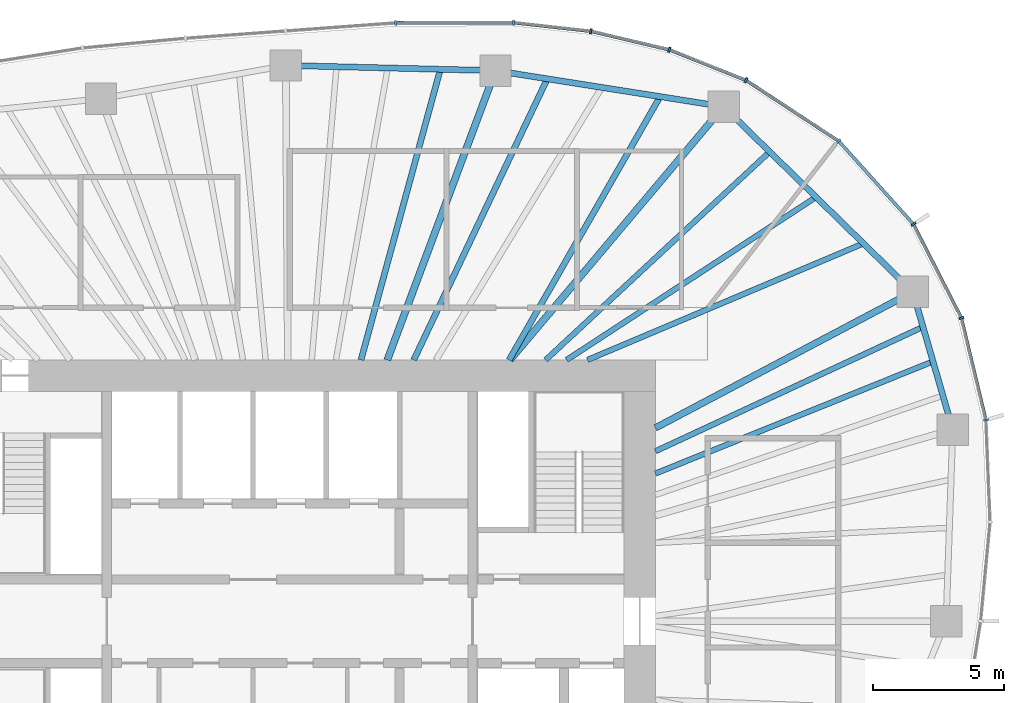
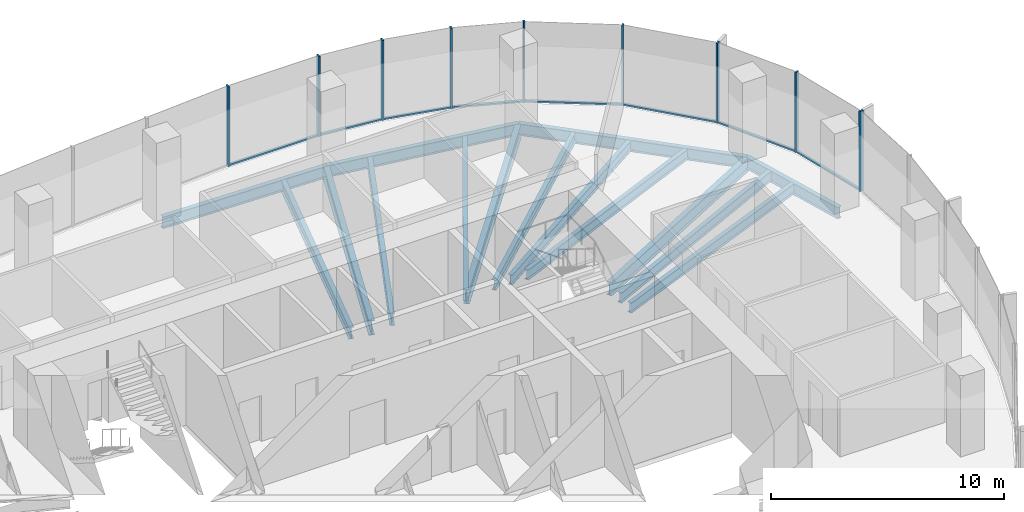
# One storey, part 6 of 12: 17 members, 15 beams, 4 elements without a shape of their own.
"""IFC4 building model written with IfcOpenShell, lengths in metres."""

import ifcopenshell
import ifcopenshell.guid

model = None  # the IFC model being written
_history = None  # IfcOwnerHistory: only IFC2X3 demands one
_inside = {}  # id of a spatial element -> (the spatial element, [elements in it])
_under = {}  # id of a project, library or spatial element -> (it, [spatial elements below it])
_declared = {}  # id of a project -> (the project, [libraries it declares])
_typed = {}  # id of a type object -> (the type object, [elements of that type])
_made_of = {}  # id of a material, layer set ... -> (it, [elements and type objects made of it])


def new_model(schema):
    """Start an empty IFC model of exactly this schema.

    Asked for "IFC4X3", IfcOpenShell would pick the latest addendum, in which some entities
    have other attributes; the version numbers below select the first issue.
    IFC2X3 requires an IfcOwnerHistory on every rooted entity: one is made here for all.
    """
    global model, _history
    if schema == "IFC4X3":
        model = ifcopenshell.file(schema_version=(4, 3, 0, 0))
    else:
        model = ifcopenshell.file(schema=schema)
    _inside.clear()
    _under.clear()
    _declared.clear()
    _typed.clear()
    _made_of.clear()
    _history = None
    if model.schema == "IFC2X3":
        org = make("IfcOrganization", Name="unknown")
        user = make(
            "IfcPersonAndOrganization",
            ThePerson=make("IfcPerson", FamilyName="unknown"),
            TheOrganization=org,
        )
        app = make(
            "IfcApplication",
            ApplicationDeveloper=org,
            Version="unknown",
            ApplicationFullName="unknown",
            ApplicationIdentifier="unknown",
        )
        _history = make(
            "IfcOwnerHistory",
            OwningUser=user,
            OwningApplication=app,
            ChangeAction="ADDED",
            CreationDate=0,
        )
    return model


def make(cls, **values):
    """One entity of the class cls with the attributes given. An attribute that is None is left unset."""
    return model.create_entity(
        cls, **{name: value for name, value in values.items() if value is not None}
    )


def rooted(cls, **values):
    """An entity with a GlobalId (a new one), such as an element, a storey or a relation."""
    return make(cls, GlobalId=ifcopenshell.guid.new(), OwnerHistory=_history, **values)


def si_unit(unit_type, name, prefix=None):
    """IfcSIUnit, for example si_unit("LENGTHUNIT", "METRE", prefix="MILLI")."""
    return make("IfcSIUnit", UnitType=unit_type, Prefix=prefix, Name=name)


def assignment(units):
    """IfcUnitAssignment: the units of a project."""
    return None if units is None else make("IfcUnitAssignment", Units=units)


def point(xyz):
    """IfcCartesianPoint."""
    return None if xyz is None else make("IfcCartesianPoint", Coordinates=xyz)


def direction(xyz):
    """IfcDirection."""
    return None if xyz is None else make("IfcDirection", DirectionRatios=xyz)


def frame(location, z_axis=None, x_axis=None):
    """IfcAxis2Placement3D, a coordinate frame: its origin and axes. An axis left out is left unset."""
    return make(
        "IfcAxis2Placement3D",
        Location=point(location),
        Axis=direction(z_axis),
        RefDirection=direction(x_axis),
    )


def frame_2d(location, x_axis=None):
    """IfcAxis2Placement2D, a coordinate frame in the plane: its origin and x axis."""
    return make(
        "IfcAxis2Placement2D", Location=point(location), RefDirection=direction(x_axis)
    )


def origin():
    """The frame at (0, 0, 0) with its axes left unset."""
    return frame((0.0, 0.0, 0.0))


def origin_2d():
    """The frame at (0, 0) in the plane with its x axis left unset."""
    return frame_2d((0.0, 0.0))


def place(relative_to, where):
    """IfcLocalPlacement: puts the frame where relative to a parent placement (None: the world)."""
    return make(
        "IfcLocalPlacement", PlacementRelTo=relative_to, RelativePlacement=where
    )


def context(
    kind, dimensions, precision=None, world=None, true_north=None, identifier=None
):
    """IfcGeometricRepresentationContext, for example the 3D "Model" context."""
    return make(
        "IfcGeometricRepresentationContext",
        ContextIdentifier=identifier,
        ContextType=kind,
        CoordinateSpaceDimension=dimensions,
        Precision=precision,
        WorldCoordinateSystem=world,
        TrueNorth=true_north,
    )


def subcontext(parent, identifier, kind, view, scale=None):
    """IfcGeometricRepresentationSubContext, for example "Body" below "Model"."""
    return make(
        "IfcGeometricRepresentationSubContext",
        ContextIdentifier=identifier,
        ContextType=kind,
        ParentContext=parent,
        TargetScale=scale,
        TargetView=view,
    )


def project(units=None, contexts=None):
    """IfcProject with its units and contexts."""
    return rooted(
        "IfcProject",
        Name="project",
        RepresentationContexts=contexts,
        UnitsInContext=assignment(units),
    )


def spatial(cls, under=None, at=None, **own):
    """A site, building, storey or space (cls), placed at a placement, below another one or the project."""
    s = rooted(cls, ObjectPlacement=at, **own)
    if under is not None:
        _under.setdefault(under.id(), (under, []))[1].append(s)
    return s


def profile(cls, at=None, kind="AREA", **sizes):
    """A parametric profile (cls). Its sizes go by their IFC names, for example OverallWidth=200.0."""
    return make(cls, ProfileType=kind, Position=at, **sizes)


def rectangle(**sizes):
    """IfcRectangleProfileDef."""
    return profile("IfcRectangleProfileDef", **sizes)


def i_section(**sizes):
    """IfcIShapeProfileDef."""
    return profile("IfcIShapeProfileDef", **sizes)


def extrude(swept, where, along, depth):
    """IfcExtrudedAreaSolid: the profile swept, set in the frame where, extruded along a direction by depth."""
    return make(
        "IfcExtrudedAreaSolid",
        SweptArea=swept,
        Position=where,
        ExtrudedDirection=direction(along),
        Depth=depth,
    )


def shape(context_of_items, identifier, shape_type, items):
    """IfcShapeRepresentation: the items that make up one representation, for example the "Body"."""
    return make(
        "IfcShapeRepresentation",
        ContextOfItems=context_of_items,
        RepresentationIdentifier=identifier,
        RepresentationType=shape_type,
        Items=items,
    )


def material(Name=None, Category=None):
    """IfcMaterial."""
    return make("IfcMaterial", Name=Name, Category=Category)


def material_profile(
    of_material, cross_section, Name=None, Category=None, Priority=None
):
    """IfcMaterialProfile: a cross section and its material."""
    return make(
        "IfcMaterialProfile",
        Name=Name,
        Material=of_material,
        Profile=cross_section,
        Priority=Priority,
        Category=Category,
    )


def profile_set(profiles, Name=None, composite=None):
    """IfcMaterialProfileSet."""
    return make(
        "IfcMaterialProfileSet",
        Name=Name,
        MaterialProfiles=profiles,
        CompositeProfile=composite,
    )


def made_of(thing, what):
    """Note that an element or type object is made of a material, layer set ...; save() writes the relation."""
    if what is not None:
        _made_of.setdefault(what.id(), (what, []))[1].append(thing)
    return thing


def type_object(cls, material=None, **own):
    """A type object (cls), such as IfcWallType, which elements share."""
    return made_of(rooted(cls, **own), material)


def element(
    cls,
    number,
    at=None,
    inside=None,
    cuts=None,
    type_object=None,
    material=None,
    context=None,
    identifier="Body",
    shape_type=None,
    held_by="IfcProductDefinitionShape",
    body=None,
    shapes=None,
    **own,
):
    """One element of the class cls, such as IfcWall. Its Tag is "e" and its number.

    at: its placement. inside: the storey or other place that contains it. cuts: it is an
    opening in that element (IfcRelVoidsElement). A single representation is given by context,
    identifier, shape_type and body (its items); several are given by shapes. held_by: the class
    of the entity that holds the representations. save() writes the other relations.
    """
    e = rooted(cls, Tag="e%d" % number, ObjectPlacement=at, **own)
    if body is not None:
        shapes = [shape(context, identifier, shape_type, body)]
    if shapes is not None:
        e.Representation = make(held_by, Representations=shapes)
    if inside is not None:
        _inside.setdefault(inside.id(), (inside, []))[1].append(e)
    if cuts is not None:
        rooted(
            "IfcRelVoidsElement", RelatingBuildingElement=cuts, RelatedOpeningElement=e
        )
    if type_object is not None:
        _typed.setdefault(type_object.id(), (type_object, []))[1].append(e)
    return made_of(e, material)


def aggregate(whole, parts):
    """IfcRelAggregates: a whole, such as a stair, and the parts it consists of."""
    return rooted("IfcRelAggregates", RelatingObject=whole, RelatedObjects=parts)


def save(model, path):
    """Write the relations noted so far, then the file.

    IfcRelAggregates (storeys below a building ...), IfcRelContainedInSpatialStructure (elements
    in a storey), IfcRelDefinesByType, IfcRelAssociatesMaterial and IfcRelDeclares: one each for
    every whole, place, type object, material and project.
    """
    for whole, parts in _under.values():
        aggregate(whole, parts)
    for where, things in _inside.values():
        rooted(
            "IfcRelContainedInSpatialStructure",
            RelatedElements=things,
            RelatingStructure=where,
        )
    for kind, things in _typed.values():
        rooted("IfcRelDefinesByType", RelatedObjects=things, RelatingType=kind)
    for what, things in _made_of.values():
        rooted("IfcRelAssociatesMaterial", RelatedObjects=things, RelatingMaterial=what)
    for by, libraries in _declared.values():
        rooted("IfcRelDeclares", RelatingContext=by, RelatedDefinitions=libraries)
    model.write(path)


model = new_model("IFC4")

# Units and contexts
model_context = context("Model", 3, precision=1e-05, world=origin(), true_north=direction((0.0, 1.0)))
body_context = subcontext(model_context, "Body", "Model", "MODEL_VIEW")
ifc_project = project(units=[si_unit("LENGTHUNIT", "METRE"), si_unit("AREAUNIT", "SQUARE_METRE"), si_unit("VOLUMEUNIT", "CUBIC_METRE"), si_unit("PLANEANGLEUNIT", "RADIAN"), si_unit("MASSUNIT", "GRAM", prefix="KILO")], contexts=[model_context])

# Site, building, storey
site_placement = place(None, origin())
site = spatial("IfcSite", under=ifc_project, at=site_placement, CompositionType="ELEMENT")
building_placement = place(site_placement, origin())
building = spatial("IfcBuilding", under=site, at=building_placement, Name="Ghaith Harvest Tower", CompositionType="ELEMENT")
storey_placement = place(building_placement, frame((0.0, 0.0, 232.60009765625)))
storey = spatial("IfcBuildingStorey", under=building, at=storey_placement, Name="L51", CompositionType="ELEMENT", Elevation=232.60009765625)

# Curtain wall, members
ifc_material_1 = material(Name="Black anodised aluminium and fritted glass", Category="aluminium")
curtain_wall_type = type_object("IfcCurtainWallType", Name="CW-H CURTAIN WALL", PredefinedType="NOTDEFINED", material=ifc_material_1)
curtain_wall_1_placement = place(storey_placement, origin())
curtain_wall_1 = element("IfcCurtainWall", 1, at=curtain_wall_1_placement, inside=storey, type_object=curtain_wall_type, Name="Curtain wall CW-H bay 02 L51", PredefinedType="NOTDEFINED")
ifc_material_2 = material(Name="Aluminium, black anodised", Category="aluminium")
ifc_material_profile_1 = material_profile(ifc_material_2, rectangle(XDim=0.080078125, YDim=0.199951171875, at=origin_2d()), Name="CW-H MULLION 80x200")
ifc_profile_set_1 = profile_set([ifc_material_profile_1], Name="Aluminium, black anodised")
member_type_1 = type_object("IfcMemberType", Name="CW-H MULLION 80x200", PredefinedType="MULLION", material=ifc_profile_set_1)
member_1_placement = place(storey_placement, frame((26.646484375, 7.701416015625, 0.0), z_axis=(0.0, 0.0, 1.0), x_axis=(-0.139146256981, 0.990271841046, 0.0)))
member_1 = element("IfcMember", 2, at=member_1_placement, type_object=member_type_1, Name="CW-H mullion 1 bay 02 L51", PredefinedType="MULLION", context=body_context, shape_type="SweptSolid", body=[
    extrude(rectangle(XDim=0.080078125, YDim=0.199951171875, at=origin_2d()), origin(), (0.0, 0.0, 1.0), 4.199951171875),
])
member_2_placement = place(storey_placement, frame((25.707275390625, 11.60546875, 0.0), z_axis=(0.0, 0.0, 1.0), x_axis=(-0.347012123561, 0.93786064322, 0.0)))
member_2 = element("IfcMember", 3, at=member_2_placement, type_object=member_type_1, Name="CW-H mullion 2 bay 02 L51", PredefinedType="MULLION", context=body_context, shape_type="SweptSolid", body=[
    extrude(rectangle(XDim=0.080078125, YDim=0.199951171875, at=origin_2d()), origin(), (0.0, 0.0, 1.0), 4.199951171875),
])

curtain_wall_2_placement = place(storey_placement, origin())
curtain_wall_2 = element("IfcCurtainWall", 4, at=curtain_wall_2_placement, inside=storey, type_object=curtain_wall_type, Name="Curtain wall CW-H bay 03 L51", PredefinedType="NOTDEFINED")
member_3_placement = place(storey_placement, frame((23.874267578125, 15.19384765625, 0.0), z_axis=(0.0, 0.0, 1.0), x_axis=(-0.569847382909, 0.821750546207, 0.0)))
member_3 = element("IfcMember", 5, at=member_3_placement, type_object=member_type_1, Name="CW-H mullion 1 bay 03 L51", PredefinedType="MULLION", context=body_context, shape_type="SweptSolid", body=[
    extrude(rectangle(XDim=0.080078125, YDim=0.199951171875, at=origin_2d()), origin(), (0.0, 0.0, 1.0), 4.199951171875),
])
member_4_placement = place(storey_placement, frame((21.013427734375, 18.374267578125, 0.0), z_axis=(0.0, 0.0, 1.0), x_axis=(-0.758541332755, 0.651624927778, 0.0)))
member_4 = element("IfcMember", 6, at=member_4_placement, type_object=member_type_1, Name="CW-H mullion 2 bay 03 L51", PredefinedType="MULLION", context=body_context, shape_type="SweptSolid", body=[
    extrude(rectangle(XDim=0.080078125, YDim=0.199951171875, at=origin_2d()), origin(), (0.0, 0.0, 1.0), 4.199951171875),
])

curtain_wall_3_placement = place(storey_placement, origin())
curtain_wall_3 = element("IfcCurtainWall", 7, at=curtain_wall_3_placement, inside=storey, type_object=curtain_wall_type, Name="Curtain wall CW-H bay 04 L51", PredefinedType="NOTDEFINED")
member_5_placement = place(storey_placement, frame((17.45947265625, 20.704345703125, 0.0), z_axis=(0.0, 0.0, 1.0), x_axis=(-0.880203412003, 0.474596621878, 0.0)))
member_5 = element("IfcMember", 8, at=member_5_placement, type_object=member_type_1, Name="CW-H mullion 1 bay 04 L51", PredefinedType="MULLION", context=body_context, shape_type="SweptSolid", body=[
    extrude(rectangle(XDim=0.080078125, YDim=0.199951171875, at=origin_2d()), origin(), (0.0, 0.0, 1.0), 4.199951171875),
])
member_6_placement = place(storey_placement, frame((14.52734375, 21.871337890625, 0.0), z_axis=(0.0, 0.0, 1.0), x_axis=(-0.953502908871, 0.30138381306, 0.0)))
member_6 = element("IfcMember", 9, at=member_6_placement, type_object=member_type_1, Name="CW-H mullion 2 bay 04 L51", PredefinedType="MULLION", context=body_context, shape_type="SweptSolid", body=[
    extrude(rectangle(XDim=0.080078125, YDim=0.199951171875, at=origin_2d()), origin(), (0.0, 0.0, 1.0), 4.199951171875),
])
member_7_placement = place(storey_placement, frame((11.527099609375, 22.579345703125, 0.0), z_axis=(0.0, 0.0, 1.0), x_axis=(-0.985193373388, 0.171446834417, 0.0)))
member_7 = element("IfcMember", 10, at=member_7_placement, type_object=member_type_1, Name="CW-H mullion 3 bay 04 L51", PredefinedType="MULLION", context=body_context, shape_type="SweptSolid", body=[
    extrude(rectangle(XDim=0.080078125, YDim=0.199951171875, at=origin_2d()), origin(), (0.0, 0.0, 1.0), 4.199951171875),
])

curtain_wall_4_placement = place(storey_placement, origin())
curtain_wall_4 = element("IfcCurtainWall", 11, at=curtain_wall_4_placement, inside=storey, type_object=curtain_wall_type, Name="Curtain wall CW-H bay 05 L51", PredefinedType="NOTDEFINED")
member_8_placement = place(storey_placement, frame((8.564208984375, 22.9091796875, 0.0), z_axis=(0.0, 0.0, 1.0), x_axis=(-0.999083519493, 0.042803283493, 0.0)))
member_8 = element("IfcMember", 12, at=member_8_placement, type_object=member_type_1, Name="CW-H mullion 1 bay 05 L51", PredefinedType="MULLION", context=body_context, shape_type="SweptSolid", body=[
    extrude(rectangle(XDim=0.080078125, YDim=0.199951171875, at=origin_2d()), origin(), (0.0, 0.0, 1.0), 4.199951171875),
])
member_9_placement = place(storey_placement, frame((4.0595703125, 22.8994140625, 0.0), z_axis=(0.0, 0.0, 1.0), x_axis=(-0.999332779724, -0.036523901335, 0.0)))
member_9 = element("IfcMember", 13, at=member_9_placement, type_object=member_type_1, Name="CW-H mullion 2 bay 05 L51", PredefinedType="MULLION", context=body_context, shape_type="SweptSolid", body=[
    extrude(rectangle(XDim=0.080078125, YDim=0.199951171875, at=origin_2d()), origin(), (0.0, 0.0, 1.0), 4.199951171875),
])

# Member
ifc_material_3 = material(Name="Aluminium, black anodised", Category="aluminium")
ifc_material_profile_2 = material_profile(ifc_material_3, rectangle(XDim=0.1298828125, YDim=0.080078125, at=origin_2d()), Name="CW-H TRANSOM 130x80")
ifc_profile_set_2 = profile_set([ifc_material_profile_2], Name="Aluminium, black anodised")
member_type_2 = type_object("IfcMemberType", Name="CW-H TRANSOM 130x80", PredefinedType="USERDEFINED", material=ifc_profile_set_2)
member_10_placement = place(storey_placement, frame((26.636962890625, 7.740234375, 0.039794921875), z_axis=(-0.233870324689, 0.972267798104, 0.0), x_axis=(-0.972267798104, -0.233870324689, 0.0)))
member_10 = element("IfcMember", 14, at=member_10_placement, type_object=member_type_2, Name="CW-H transom 1 bay 02 L51", ObjectType="TRANSOM", PredefinedType="USERDEFINED", context=body_context, shape_type="SweptSolid", body=[
    extrude(rectangle(XDim=0.1298828125, YDim=0.080078125, at=origin_2d()), origin(), (0.0, 0.0, 1.0), 3.935546875),
])

member_11_placement = place(storey_placement, frame((25.68896484375, 11.64111328125, 0.039794921875), z_axis=(-0.454911728312, 0.890536534592, 0.0), x_axis=(-0.890536534592, -0.454911728312, 0.0)))
member_11 = element("IfcMember", 15, at=member_11_placement, type_object=member_type_2, Name="CW-H transom 2 bay 02 L51", ObjectType="TRANSOM", PredefinedType="USERDEFINED", context=body_context, shape_type="SweptSolid", body=[
    extrude(rectangle(XDim=0.1298828125, YDim=0.080078125, at=origin_2d()), origin(), (0.0, 0.0, 1.0), 3.949462890625),
])

aggregate(curtain_wall_1, [member_1, member_10, member_2, member_11])

member_12_placement = place(storey_placement, frame((23.847412109375, 15.223388671875, 0.039794921875), z_axis=(-0.668752638518, 0.743484975286, 0.0), x_axis=(-0.743484975286, -0.668752638518, 0.0)))
member_12 = element("IfcMember", 16, at=member_12_placement, type_object=member_type_2, Name="CW-H transom 1 bay 03 L51", ObjectType="TRANSOM", PredefinedType="USERDEFINED", context=body_context, shape_type="SweptSolid", body=[
    extrude(rectangle(XDim=0.1298828125, YDim=0.080078125, at=origin_2d()), origin(), (0.0, 0.0, 1.0), 4.197998046875),
])

member_13_placement = place(storey_placement, frame((20.97998046875, 18.39599609375, 0.039794921875), z_axis=(-0.836268574396, 0.548320044753, 0.0), x_axis=(-0.548320044753, -0.836268574396, 0.0)))
member_13 = element("IfcMember", 17, at=member_13_placement, type_object=member_type_2, Name="CW-H transom 2 bay 03 L51", ObjectType="TRANSOM", PredefinedType="USERDEFINED", context=body_context, shape_type="SweptSolid", body=[
    extrude(rectangle(XDim=0.1298828125, YDim=0.080078125, at=origin_2d()), origin(), (0.0, 0.0, 1.0), 4.169677734375),
])

aggregate(curtain_wall_2, [member_3, member_12, member_4, member_13])

member_14_placement = place(storey_placement, frame((17.42236328125, 20.71923828125, 0.039794921875), z_axis=(-0.929115751434, 0.369789021521, 0.0), x_axis=(-0.369789021521, -0.929115751434, 0.0)))
member_14 = element("IfcMember", 18, at=member_14_placement, type_object=member_type_2, Name="CW-H transom 1 bay 04 L51", ObjectType="TRANSOM", PredefinedType="USERDEFINED", context=body_context, shape_type="SweptSolid", body=[
    extrude(rectangle(XDim=0.1298828125, YDim=0.080078125, at=origin_2d()), origin(), (0.0, 0.0, 1.0), 3.075927734375),
])

member_15_placement = place(storey_placement, frame((14.48828125, 21.880615234375, 0.039794921875), z_axis=(-0.97325803677, 0.229714592186, 0.0), x_axis=(-0.229714592186, -0.97325803677, 0.0)))
member_15 = element("IfcMember", 19, at=member_15_placement, type_object=member_type_2, Name="CW-H transom 2 bay 04 L51", ObjectType="TRANSOM", PredefinedType="USERDEFINED", context=body_context, shape_type="SweptSolid", body=[
    extrude(rectangle(XDim=0.1298828125, YDim=0.080078125, at=origin_2d()), origin(), (0.0, 0.0, 1.0), 3.00244140625),
])

member_16_placement = place(storey_placement, frame((11.4873046875, 22.583984375, 0.039794921875), z_axis=(-0.993867303252, 0.110579308762, 0.0), x_axis=(-0.110579308762, -0.993867303252, 0.0)))
member_16 = element("IfcMember", 20, at=member_16_placement, type_object=member_type_2, Name="CW-H transom 3 bay 04 L51", ObjectType="TRANSOM", PredefinedType="USERDEFINED", context=body_context, shape_type="SweptSolid", body=[
    extrude(rectangle(XDim=0.1298828125, YDim=0.080078125, at=origin_2d()), origin(), (0.0, 0.0, 1.0), 2.901123046875),
])

aggregate(curtain_wall_3, [member_5, member_14, member_6, member_15, member_7, member_16])

member_17_placement = place(storey_placement, frame((8.524169921875, 22.9091796875, 0.039794921875), z_axis=(-0.999997564275, -0.002207134722, 0.0), x_axis=(0.002207134722, -0.999997564275, 0.0)))
member_17 = element("IfcMember", 21, at=member_17_placement, type_object=member_type_2, Name="CW-H transom 1 bay 05 L51", ObjectType="TRANSOM", PredefinedType="USERDEFINED", context=body_context, shape_type="SweptSolid", body=[
    extrude(rectangle(XDim=0.1298828125, YDim=0.080078125, at=origin_2d()), origin(), (0.0, 0.0, 1.0), 4.424560546875),
])

aggregate(curtain_wall_4, [member_8, member_17, member_9])

# Beams
ifc_material_4 = material(Name="Steel ASTM A992 Grade 50", Category="steel")
ifc_material_profile_3 = material_profile(ifc_material_4, i_section(OverallWidth=0.22900390625, OverallDepth=0.612060546875, WebThickness=0.011962890625, FlangeThickness=0.01953125, at=origin_2d()), Name="W610X125")
ifc_profile_set_3 = profile_set([ifc_material_profile_3], Name="Steel ASTM A992 Grade 50")
beam_type_1 = type_object("IfcBeamType", Name="E610-125 W610X125", PredefinedType="SPANDREL", material=ifc_profile_set_3)
beam_1_placement = place(storey_placement, frame((25.3779296875, 7.3349609375, -0.47607421875), z_axis=(-0.278021352648, 0.960574894254, 0.0), x_axis=(-0.960574894254, -0.278021352648, 0.0)))
element("IfcBeam", 22, at=beam_1_placement, inside=storey, type_object=beam_type_1, Name="Edge beam E02 L51", PredefinedType="SPANDREL", context=body_context, shape_type="SweptSolid", body=[
    extrude(i_section(OverallWidth=0.22900390625, OverallDepth=0.612060546875, WebThickness=0.011962890625, FlangeThickness=0.01953125, at=origin_2d()), origin(), (0.0, 0.0, 1.0), 5.48828125),
])
beam_2_placement = place(storey_placement, frame((23.85205078125, 12.60693359375, -0.47607421875), z_axis=(-0.714761249388, 0.699368541166, 0.0), x_axis=(-0.699368541166, -0.714761249388, 0.0)))
element("IfcBeam", 23, at=beam_2_placement, inside=storey, type_object=beam_type_1, Name="Edge beam E03 L51", PredefinedType="SPANDREL", context=body_context, shape_type="SweptSolid", body=[
    extrude(i_section(OverallWidth=0.22900390625, OverallDepth=0.612060546875, WebThickness=0.011962890625, FlangeThickness=0.01953125, at=origin_2d()), origin(), (0.0, 0.0, 1.0), 10.135009765625),
])
beam_3_placement = place(storey_placement, frame((16.60791015625, 19.695068359375, -0.47607421875), z_axis=(-0.987788485872, 0.155800857439, 0.0), x_axis=(-0.155800857439, -0.987788485872, 0.0)))
element("IfcBeam", 24, at=beam_3_placement, inside=storey, type_object=beam_type_1, Name="Edge beam E04 L51", PredefinedType="SPANDREL", context=body_context, shape_type="SweptSolid", body=[
    extrude(i_section(OverallWidth=0.22900390625, OverallDepth=0.612060546875, WebThickness=0.011962890625, FlangeThickness=0.01953125, at=origin_2d()), origin(), (0.0, 0.0, 1.0), 8.837890625),
])
beam_4_placement = place(storey_placement, frame((7.8779296875, 21.072021484375, -0.47607421875), z_axis=(-0.999692679676, 0.024790042413, 0.0), x_axis=(-0.024790042413, -0.999692679676, 0.0)))
element("IfcBeam", 25, at=beam_4_placement, inside=storey, type_object=beam_type_1, Name="Edge beam E05 L51", PredefinedType="SPANDREL", context=body_context, shape_type="SweptSolid", body=[
    extrude(i_section(OverallWidth=0.22900390625, OverallDepth=0.612060546875, WebThickness=0.011962890625, FlangeThickness=0.01953125, at=origin_2d()), origin(), (0.0, 0.0, 1.0), 8.0263671875),
])
ifc_material_5 = material(Name="Steel ASTM A992 Grade 50", Category="steel")
ifc_material_profile_4 = material_profile(ifc_material_5, i_section(OverallWidth=0.256103515625, OverallDepth=0.693115234375, WebThickness=0.014404296875, FlangeThickness=0.023681640625, at=origin_2d()), Name="W690X170")
ifc_profile_set_4 = profile_set([ifc_material_profile_4], Name="Steel ASTM A992 Grade 50")
beam_type_2 = type_object("IfcBeamType", Name="G690-170 W690X170", PredefinedType="BEAM", material=ifc_profile_set_4)
beam_5_placement = place(storey_placement, frame((14.0, 7.39990234375, -0.5166015625), z_axis=(0.884112784119, 0.467273565438, 0.0), x_axis=(-0.467273565438, 0.884112784119, 0.0)))
element("IfcBeam", 26, at=beam_5_placement, inside=storey, type_object=beam_type_2, Name="Radial girder G03 L51", PredefinedType="BEAM", context=body_context, shape_type="SweptSolid", body=[
    extrude(i_section(OverallWidth=0.256103515625, OverallDepth=0.693115234375, WebThickness=0.014404296875, FlangeThickness=0.023681640625, at=origin_2d()), origin(), (0.0, 0.0, 1.0), 11.143310546875),
])
ifc_material_6 = material(Name="Steel ASTM A992 Grade 50", Category="steel")
ifc_material_profile_5 = material_profile(ifc_material_6, i_section(OverallWidth=0.26806640625, OverallDepth=0.77001953125, WebThickness=0.015625, FlangeThickness=0.025390625, at=origin_2d()), Name="W760X196")
ifc_profile_set_5 = profile_set([ifc_material_profile_5], Name="Steel ASTM A992 Grade 50")
beam_type_3 = type_object("IfcBeamType", Name="G760-196 W760X196", PredefinedType="BEAM", material=ifc_profile_set_5)
beam_6_placement = place(storey_placement, frame((8.4326171875, 10.0, -0.55517578125), z_axis=(0.644644245772, 0.764482698557, 0.0), x_axis=(-0.764482698557, 0.644644245772, 0.0)))
element("IfcBeam", 27, at=beam_6_placement, inside=storey, type_object=beam_type_3, Name="Radial girder G04 L51", PredefinedType="BEAM", context=body_context, shape_type="SweptSolid", body=[
    extrude(i_section(OverallWidth=0.26806640625, OverallDepth=0.77001953125, WebThickness=0.015625, FlangeThickness=0.025390625, at=origin_2d()), origin(), (0.0, 0.0, 1.0), 12.681884765625),
])
beam_7_placement = place(storey_placement, frame((3.73828125, 10.0, -0.55517578125), z_axis=(0.350206582147, 0.936672488024, 0.0), x_axis=(-0.936672488024, 0.350206582147, 0.0)))
element("IfcBeam", 28, at=beam_7_placement, inside=storey, type_object=beam_type_3, Name="Radial girder G05 L51", PredefinedType="BEAM", context=body_context, shape_type="SweptSolid", body=[
    extrude(i_section(OverallWidth=0.26806640625, OverallDepth=0.77001953125, WebThickness=0.015625, FlangeThickness=0.025390625, at=origin_2d()), origin(), (0.0, 0.0, 1.0), 11.820556640625),
])
ifc_material_7 = material(Name="Steel ASTM A992 Grade 50", Category="steel")
ifc_material_profile_6 = material_profile(ifc_material_7, i_section(OverallWidth=0.2109375, OverallDepth=0.5390625, WebThickness=0.01171875, FlangeThickness=0.018798828125, at=origin_2d()), Name="W530X109")
ifc_profile_set_6 = profile_set([ifc_material_profile_6], Name="Steel ASTM A992 Grade 50")
beam_type_4 = type_object("IfcBeamType", Name="J530-109 W530X109", PredefinedType="JOIST", material=ifc_profile_set_6)
beam_8_placement = place(storey_placement, frame((14.0, 5.653564453125, -0.439697265625), z_axis=(0.927250374508, 0.37444190868, 0.0), x_axis=(-0.37444190868, 0.927250374508, 0.0)))
element("IfcBeam", 29, at=beam_8_placement, inside=storey, type_object=beam_type_4, Name="Joist J02.2 L51", PredefinedType="JOIST", context=body_context, shape_type="SweptSolid", body=[
    extrude(i_section(OverallWidth=0.2109375, OverallDepth=0.5390625, WebThickness=0.01171875, FlangeThickness=0.018798828125, at=origin_2d()), origin(), (0.0, 0.0, 1.0), 11.45654296875),
])
beam_9_placement = place(storey_placement, frame((14.0, 6.506103515625, -0.439697265625), z_axis=(0.906864105655, 0.421423176718, 0.0), x_axis=(-0.421423176718, 0.906864105655, 0.0)))
element("IfcBeam", 30, at=beam_9_placement, inside=storey, type_object=beam_type_4, Name="Joist J02.3 L51", PredefinedType="JOIST", context=body_context, shape_type="SweptSolid", body=[
    extrude(i_section(OverallWidth=0.2109375, OverallDepth=0.5390625, WebThickness=0.01171875, FlangeThickness=0.018798828125, at=origin_2d()), origin(), (0.0, 0.0, 1.0), 11.292236328125),
])
beam_10_placement = place(storey_placement, frame((11.39990234375, 10.0, -0.439697265625), z_axis=(0.92127415213, 0.388913790727, 0.0), x_axis=(-0.388913790727, 0.92127415213, 0.0)))
element("IfcBeam", 31, at=beam_10_placement, inside=storey, type_object=beam_type_4, Name="Joist J03.1 L51", PredefinedType="JOIST", context=body_context, shape_type="SweptSolid", body=[
    extrude(i_section(OverallWidth=0.2109375, OverallDepth=0.5390625, WebThickness=0.01171875, FlangeThickness=0.018798828125, at=origin_2d()), origin(), (0.0, 0.0, 1.0), 11.462646484375),
])
beam_11_placement = place(storey_placement, frame((10.60009765625, 10.0, -0.439697265625), z_axis=(0.837329320942, 0.546698827775, 0.0), x_axis=(-0.546698827775, 0.837329320942, 0.0)))
element("IfcBeam", 32, at=beam_11_placement, inside=storey, type_object=beam_type_4, Name="Joist J03.2 L51", PredefinedType="JOIST", context=body_context, shape_type="SweptSolid", body=[
    extrude(i_section(OverallWidth=0.2109375, OverallDepth=0.5390625, WebThickness=0.01171875, FlangeThickness=0.018798828125, at=origin_2d()), origin(), (0.0, 0.0, 1.0), 11.40087890625),
])
beam_12_placement = place(storey_placement, frame((9.800048828125, 10.0, -0.439697265625), z_axis=(0.732519288302, 0.680746275984, 0.0), x_axis=(-0.680746275984, 0.732519288302, 0.0)))
element("IfcBeam", 33, at=beam_12_placement, inside=storey, type_object=beam_type_4, Name="Joist J03.3 L51", PredefinedType="JOIST", context=body_context, shape_type="SweptSolid", body=[
    extrude(i_section(OverallWidth=0.2109375, OverallDepth=0.5390625, WebThickness=0.01171875, FlangeThickness=0.018798828125, at=origin_2d()), origin(), (0.0, 0.0, 1.0), 11.7041015625),
])
ifc_material_8 = material(Name="Steel ASTM A992 Grade 50", Category="steel")
ifc_material_profile_7 = material_profile(ifc_material_8, i_section(OverallWidth=0.22900390625, OverallDepth=0.612060546875, WebThickness=0.011962890625, FlangeThickness=0.01953125, at=origin_2d()), Name="W610X125")
ifc_profile_set_7 = profile_set([ifc_material_profile_7], Name="Steel ASTM A992 Grade 50")
beam_type_5 = type_object("IfcBeamType", Name="J610-125 W610X125", PredefinedType="JOIST", material=ifc_profile_set_7)
beam_13_placement = place(storey_placement, frame((8.39990234375, 10.0, -0.47607421875), z_axis=(0.497444212127, 0.867495968764, 0.0), x_axis=(-0.867495968764, 0.497444212127, 0.0)))
element("IfcBeam", 34, at=beam_13_placement, inside=storey, type_object=beam_type_5, Name="Joist J04.1 L51", PredefinedType="JOIST", context=body_context, shape_type="SweptSolid", body=[
    extrude(i_section(OverallWidth=0.22900390625, OverallDepth=0.612060546875, WebThickness=0.011962890625, FlangeThickness=0.01953125, at=origin_2d()), origin(), (0.0, 0.0, 1.0), 11.617431640625),
])
beam_14_placement = place(storey_placement, frame((4.75, 10.0, -0.47607421875), z_axis=(0.429069356877, 0.903271546651, 0.0), x_axis=(-0.903271546651, 0.429069356877, 0.0)))
element("IfcBeam", 35, at=beam_14_placement, inside=storey, type_object=beam_type_5, Name="Joist J04.3 L51", PredefinedType="JOIST", context=body_context, shape_type="SweptSolid", body=[
    extrude(i_section(OverallWidth=0.22900390625, OverallDepth=0.612060546875, WebThickness=0.011962890625, FlangeThickness=0.01953125, at=origin_2d()), origin(), (0.0, 0.0, 1.0), 11.911376953125),
])
beam_15_placement = place(storey_placement, frame((2.73095703125, 10.0, -0.47607421875), z_axis=(0.263455967932, 0.964671422279, 0.0), x_axis=(-0.964671422279, 0.263455967932, 0.0)))
element("IfcBeam", 36, at=beam_15_placement, inside=storey, type_object=beam_type_5, Name="Joist J05.1 L51", PredefinedType="JOIST", context=body_context, shape_type="SweptSolid", body=[
    extrude(i_section(OverallWidth=0.22900390625, OverallDepth=0.612060546875, WebThickness=0.011962890625, FlangeThickness=0.01953125, at=origin_2d()), origin(), (0.0, 0.0, 1.0), 11.53173828125),
])

save(model, "model.ifc")
